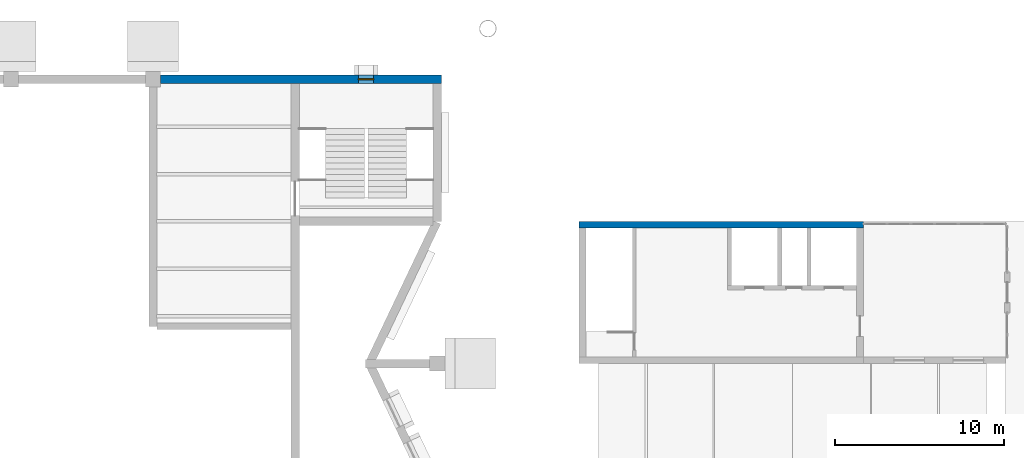
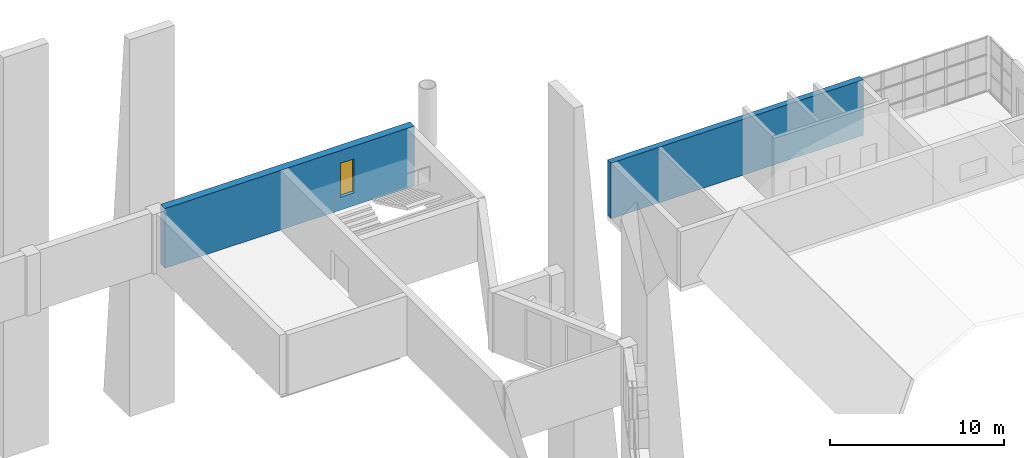
# One storey, part 72 of 100: 2 walls, 1 window, 1 opening.
"""IFC4 building model written with IfcOpenShell, lengths in metres."""

from ifc_helpers import new_model, si_unit, direction, frame, frame_2d, origin, place, context, subcontext, project, spatial, rectangle, extrude, material, layer, layer_set, type_object, element, fill, save


model = new_model("IFC4")

# Units and contexts
model_context = context("Model", 3, precision=1e-05, world=origin(), true_north=direction((0.0, 1.0)))
body_context = subcontext(model_context, "Body", "Model", "MODEL_VIEW")
ifc_project = project(units=[si_unit("LENGTHUNIT", "METRE"), si_unit("AREAUNIT", "SQUARE_METRE"), si_unit("VOLUMEUNIT", "CUBIC_METRE"), si_unit("PLANEANGLEUNIT", "RADIAN"), si_unit("MASSUNIT", "GRAM", prefix="KILO")], contexts=[model_context])

# Site, building, storey
site_placement = place(None, origin())
site = spatial("IfcSite", under=ifc_project, at=site_placement, CompositionType="ELEMENT")
building_placement = place(site_placement, origin())
building = spatial("IfcBuilding", under=site, at=building_placement, Name="Cresset Court Congress Hotel", CompositionType="ELEMENT")
storey_placement = place(building_placement, frame((0.0, 0.0, 10.199951171875)))
storey = spatial("IfcBuildingStorey", under=building, at=storey_placement, Name="L02", CompositionType="ELEMENT", Elevation=10.199951171875)

# Wall, opening, window
ifc_material_1 = material(Name="Limestone-faced precast concrete C50", Category="masonry")
ifc_layer_1 = layer(ifc_material_1, 0.5)
ifc_layer_set_1 = layer_set([ifc_layer_1], Name="Hall perimeter wall 500")
wall_type_1 = type_object("IfcWallType", Name="Hall perimeter wall 500", PredefinedType="SOLIDWALL", material=ifc_layer_set_1)
wall_1_placement = place(storey_placement, frame((101.25, 117.60009765625, 0.0), z_axis=(0.0, 0.0, 1.0), x_axis=(1.0, 0.0, 0.0)))
wall_1 = element("IfcWall", 1, at=wall_1_placement, inside=storey, type_object=wall_type_1, Name="Wall CW-NL02-1", PredefinedType="SOLIDWALL", context=body_context, shape_type="SweptSolid", body=[
    extrude(rectangle(XDim=16.60009765625, YDim=0.5, at=frame_2d((8.300048828125, 0.0))), origin(), (0.0, 0.0, 1.0), 4.199951171875),
])
opening_placement = place(wall_1_placement, frame((11.699951171875, 0.0, 0.89990234375)))
opening = element("IfcOpeningElement", 2, at=opening_placement, cuts=wall_1, Name="Opening NC-02-C4", PredefinedType="OPENING", context=body_context, shape_type="SweptSolid", body=[
    extrude(rectangle(XDim=0.89990234375, YDim=2.39990234375, at=frame_2d((0.449951171875, 1.199951171875))), frame((0.0, 0.260009765625, 0.0), z_axis=(0.0, -1.0, 0.0), x_axis=(1.0, 0.0, 0.0)), (0.0, 0.0, 1.0), 0.52001953125),
])
ifc_material_2 = material(Name="Aluminium and glass", Category="aluminium")
window_type = type_object("IfcWindowType", Name="Fixed window 900x2400", PartitioningType="SINGLE_PANEL", PredefinedType="WINDOW", material=ifc_material_2)
window_placement = place(opening_placement, origin())
window = element("IfcWindow", 3, at=window_placement, inside=storey, type_object=window_type, Name="Window NC-02-C4", OverallHeight=2.39990234375, OverallWidth=0.89990234375, PartitioningType="SINGLE_PANEL", PredefinedType="WINDOW", context=body_context, shape_type="SweptSolid", body=[
    extrude(rectangle(XDim=0.89990234375, YDim=2.39990234375, at=frame_2d((0.449951171875, 1.199951171875))), frame((0.0, 0.030029296875, 0.0), z_axis=(0.0, -1.0, 0.0), x_axis=(1.0, 0.0, 0.0)), (0.0, 0.0, 1.0), 0.06005859375),
])
fill(opening, window)

# Wall
ifc_material_3 = material(Name="Concrete C50", Category="concrete")
ifc_layer_2 = layer(ifc_material_3, 0.39990234375)
ifc_layer_set_2 = layer_set([ifc_layer_2], Name="RC core wall 400 C50 external")
wall_type_2 = type_object("IfcWallType", Name="RC core wall 400 C50 external", PredefinedType="SOLIDWALL", material=ifc_layer_set_2)
wall_2_placement = place(storey_placement, frame((126.0, 109.0, 0.0), z_axis=(0.0, 0.0, 1.0), x_axis=(1.0, 0.0, 0.0)))
element("IfcWall", 4, at=wall_2_placement, inside=storey, type_object=wall_type_2, Name="Core north wall", PredefinedType="SOLIDWALL", context=body_context, shape_type="SweptSolid", body=[
    extrude(rectangle(XDim=16.800048828125, YDim=0.39990234375, at=frame_2d((8.39990234375, 0.0))), origin(), (0.0, 0.0, 1.0), 3.920166015625),
])

save(model, "model.ifc")
